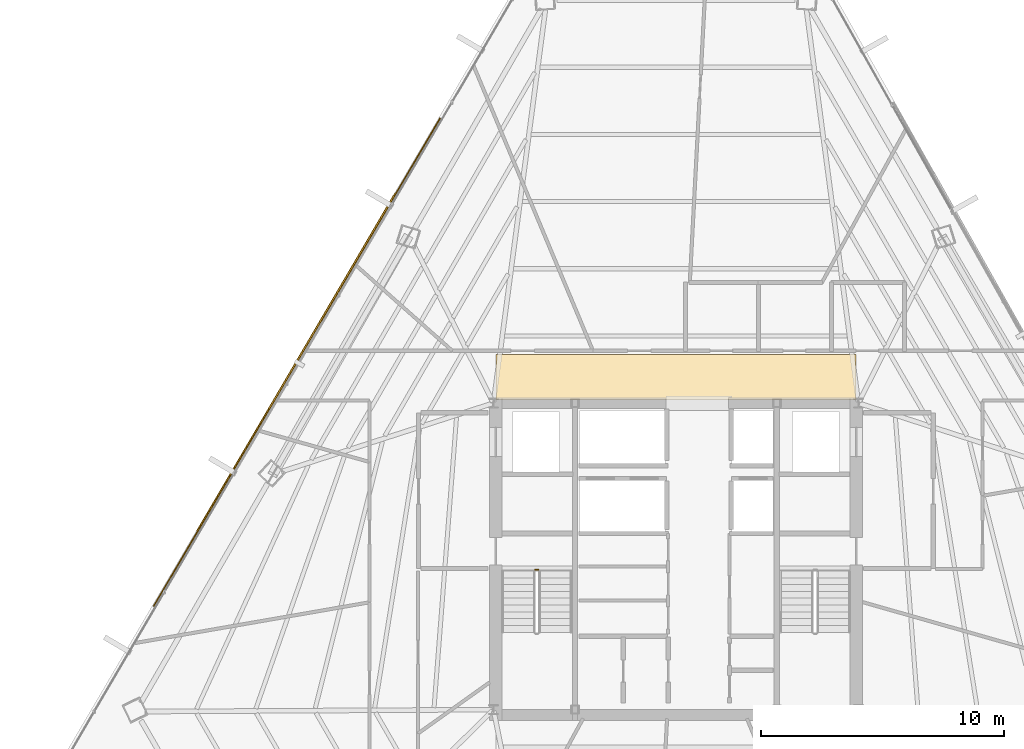
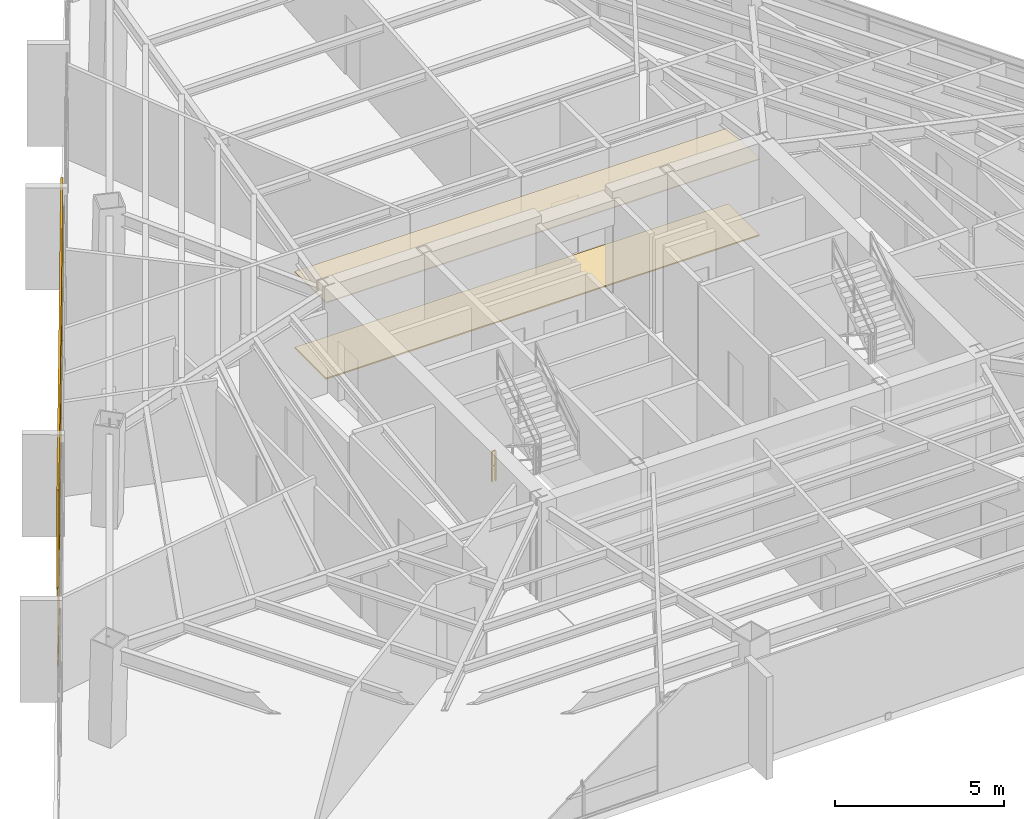
# One storey, part 40 of 42: 3 coverings, 1 railing, 1 shading device.
"""IFC4 building model written with IfcOpenShell, lengths in metres."""

from ifc_helpers import new_model, si_unit, direction, frame, origin, origin_2d, place, context, subcontext, project, spatial, polyline, rectangle, outline, extrude, source, transform, mapped, material, layer, layer_set, type_object, type_shapes, element, save


model = new_model("IFC4")

# Units and contexts
model_context = context("Model", 3, precision=1e-05, world=origin(), true_north=direction((0.0, 1.0)))
body_context = subcontext(model_context, "Body", "Model", "MODEL_VIEW")
ifc_project = project(units=[si_unit("LENGTHUNIT", "METRE"), si_unit("AREAUNIT", "SQUARE_METRE"), si_unit("VOLUMEUNIT", "CUBIC_METRE"), si_unit("PLANEANGLEUNIT", "RADIAN"), si_unit("MASSUNIT", "GRAM", prefix="KILO")], contexts=[model_context])

# Site, building, storey
site_placement = place(None, origin())
site = spatial("IfcSite", under=ifc_project, at=site_placement, CompositionType="ELEMENT")
building_placement = place(site_placement, origin())
building = spatial("IfcBuilding", under=site, at=building_placement, Name="Caelisora Broadcast Tower", CompositionType="ELEMENT")
storey_placement = place(building_placement, frame((0.0, 0.0, 191.35009765625)))
storey = spatial("IfcBuildingStorey", under=building, at=storey_placement, Name="L50", CompositionType="ELEMENT", Elevation=191.35009765625)

# Coverings
ifc_material_1 = material(Name="Perforated Mineral-Fibre Acoustic Ceiling Tile", Category="gypsum")
ifc_layer_1 = layer(ifc_material_1, 0.034912109375, Name="Perforated Mineral-Fibre Acoustic Ceiling Tile")
ifc_layer_set_1 = layer_set([ifc_layer_1], Name="Perforated Mineral-Fibre Acoustic Ceiling Tile")
covering_type_1 = type_object("IfcCoveringType", Name="CE-1", PredefinedType="CEILING", material=ifc_layer_set_1)
covering_1_placement = place(storey_placement, frame((0.0, 0.0, 2.75)))
element("IfcCovering", 1, at=covering_1_placement, inside=storey, type_object=covering_type_1, Name="L50 acoustic corridor ceiling CE-1 (N)", PredefinedType="CEILING", context=body_context, shape_type="SweptSolid", body=[
    extrude(outline(polyline([(30.60009765625, 30.14990234375), (45.39990234375, 30.14990234375), (45.39990234375, 32.0), (30.60009765625, 32.0), (30.60009765625, 30.14990234375)])), origin(), (0.0, 0.0, 1.0), 0.034912109375),
])
ifc_material_2 = material(Name="Anti-Static Broadcast Raised Access Floor Panel", Category="steel")
ifc_layer_2 = layer(ifc_material_2, 0.044921875, Name="Anti-Static Broadcast Raised Access Floor Panel")
ifc_layer_set_2 = layer_set([ifc_layer_2], Name="Anti-Static Broadcast Raised Access Floor Panel")
covering_type_2 = type_object("IfcCoveringType", Name="FL-1", PredefinedType="FLOORING", material=ifc_layer_set_2)
covering_2_placement = place(storey_placement, origin())
element("IfcCovering", 2, at=covering_2_placement, inside=storey, type_object=covering_type_2, Name="L50 broadcast raised access floor FL-1 (N)", PredefinedType="FLOORING", context=body_context, shape_type="SweptSolid", body=[
    extrude(outline(polyline([(30.60009765625, 30.14990234375), (45.39990234375, 30.14990234375), (45.39990234375, 32.0), (30.60009765625, 32.0), (30.60009765625, 30.14990234375)])), origin(), (0.0, 0.0, 1.0), 0.044921875),
])

# Railing
ifc_material_3 = material(Name="Galvanised Steel Safety Guardrail", Category="steel")
ifc_layer_3 = layer(ifc_material_3, 0.048095703125, Name="Galvanised Steel Safety Guardrail")
ifc_layer_set_3 = layer_set([ifc_layer_3], Name="Galvanised Steel Safety Guardrail")
railing_type = type_object("IfcRailingType", Name="GR-1", PredefinedType="GUARDRAIL", material=ifc_layer_set_3)
railing_placement = place(storey_placement, frame((32.219970703125, 23.14990234375, 0.0)))
element("IfcRailing", 3, at=railing_placement, inside=storey, type_object=railing_type, Name="L50 ST-1 stair guard 4", PredefinedType="GUARDRAIL", context=body_context, shape_type="SweptSolid", body=[
    extrude(rectangle(XDim=0.048095703125, YDim=0.048095703125, at=origin_2d()), frame((0.0, 0.0, 1.076171875), z_axis=(1.0, 0.0, 0.0), x_axis=(0.0, 1.0, 0.0)), (0.0, 0.0, 1.0), 0.1201171875),
    extrude(rectangle(XDim=0.03125, YDim=0.03125, at=origin_2d()), frame((0.0, 0.0, 0.550048828125), z_axis=(1.0, 0.0, 0.0), x_axis=(0.0, 1.0, 0.0)), (0.0, 0.0, 1.0), 0.1201171875),
    extrude(rectangle(XDim=0.0419921875, YDim=0.0419921875, at=origin_2d()), origin(), (0.0, 0.0, 1.0), 1.052001953125),
    extrude(rectangle(XDim=0.0419921875, YDim=0.0419921875, at=origin_2d()), frame((0.1201171875, 0.0, 0.0)), (0.0, 0.0, 1.0), 1.052001953125),
])

# Shading device
ifc_material_4 = material(Name="Perforated Glazed Terracotta Baguette Solar Screen", Category="ceramic")
ifc_layer_4 = layer(ifc_material_4, 0.06494140625, Name="Perforated Glazed Terracotta Baguette Solar Screen")
ifc_layer_set_4 = layer_set([ifc_layer_4], Name="Perforated Glazed Terracotta Baguette Solar Screen")
shading_device_type = type_object("IfcShadingDeviceType", Name="SS-1", PredefinedType="USERDEFINED", material=ifc_layer_set_4)
shared_shape_1 = source(origin(), body_context, "Body", "SweptSolid", [
    extrude(rectangle(XDim=16.113037109375, YDim=0.06494140625, at=origin_2d()), origin(), (0.0, 0.0, 1.0), 3.590087890625),
])
type_shapes(shading_device_type, [shared_shape_1])
shading_device_placement = place(storey_placement, frame((22.402587890625, 31.692626953125, 0.0), z_axis=(0.0, 0.0, 1.0), x_axis=(-0.506334807353, -0.862336977557, 0.0)))
element("IfcShadingDevice", 4, at=shading_device_placement, inside=storey, type_object=shading_device_type, Name="L50 perforated terracotta solar screen #1", ObjectType="SOLAR SCREEN", PredefinedType="USERDEFINED", context=body_context, shape_type="MappedRepresentation", body=[
    mapped(shared_shape_1, transform((0.0, 0.0, 0.0), scale=1.0)),
])

# Covering
ifc_material_5 = material(Name="Kiln-Fired Terracotta Spandrel Rainscreen Cladding", Category="ceramic")
ifc_layer_5 = layer(ifc_material_5, 0.044921875, Name="Kiln-Fired Terracotta Spandrel Rainscreen Cladding")
ifc_layer_set_5 = layer_set([ifc_layer_5], Name="Kiln-Fired Terracotta Spandrel Rainscreen Cladding")
covering_type_3 = type_object("IfcCoveringType", Name="CL-1", PredefinedType="CLADDING", material=ifc_layer_set_5)
shared_shape_2 = source(origin(), body_context, "Body", "SweptSolid", [
    extrude(rectangle(XDim=23.27392578125, YDim=0.044921875, at=origin_2d()), origin(), (0.0, 0.0, 1.0), 0.340087890625),
])
type_shapes(covering_type_3, [shared_shape_2])
covering_3_placement = place(storey_placement, frame((22.419677734375, 31.6826171875, -0.27001953125), z_axis=(0.0, 0.0, 1.0), x_axis=(-0.506334807353, -0.862336977557, 0.0)))
element("IfcCovering", 5, at=covering_3_placement, inside=storey, type_object=covering_type_3, Name="L50 terracotta spandrel rainscreen #1", PredefinedType="CLADDING", context=body_context, shape_type="MappedRepresentation", body=[
    mapped(shared_shape_2, transform((0.0, 0.0, 0.0), scale=1.0)),
])

save(model, "model.ifc")
